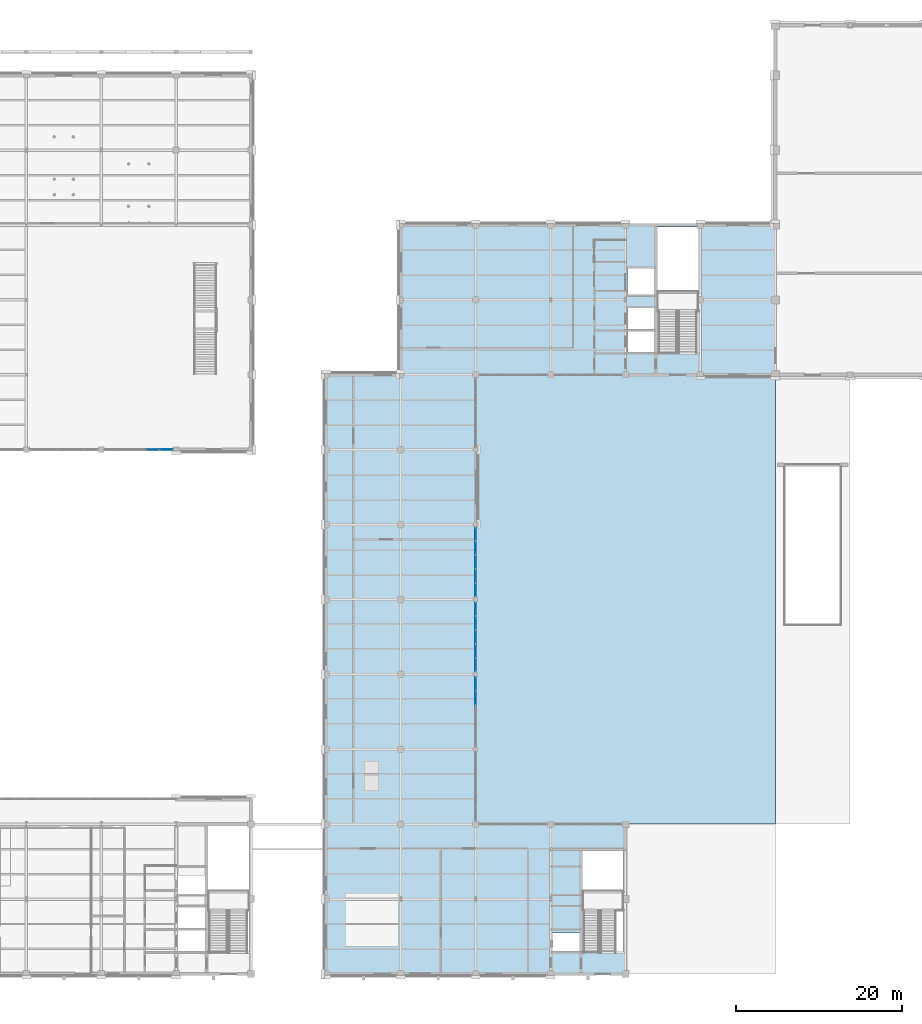
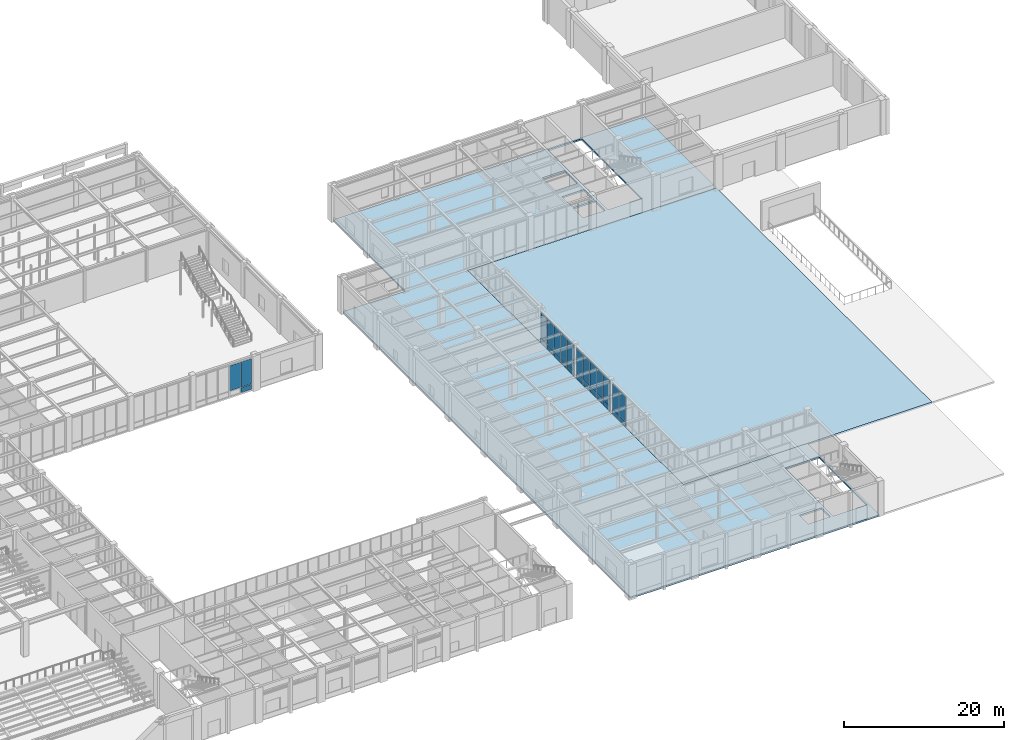
# One storey, part 55 of 77: 27 plates, 2 slabs, 4 openings, 4 elements without a shape of their own.
"""IFC4 building model written with IfcOpenShell, lengths in metres."""

import ifcopenshell
import ifcopenshell.guid

model = None  # the IFC model being written
_history = None  # IfcOwnerHistory: only IFC2X3 demands one
_inside = {}  # id of a spatial element -> (the spatial element, [elements in it])
_under = {}  # id of a project, library or spatial element -> (it, [spatial elements below it])
_declared = {}  # id of a project -> (the project, [libraries it declares])
_typed = {}  # id of a type object -> (the type object, [elements of that type])
_made_of = {}  # id of a material, layer set ... -> (it, [elements and type objects made of it])


def new_model(schema):
    """Start an empty IFC model of exactly this schema.

    Asked for "IFC4X3", IfcOpenShell would pick the latest addendum, in which some entities
    have other attributes; the version numbers below select the first issue.
    IFC2X3 requires an IfcOwnerHistory on every rooted entity: one is made here for all.
    """
    global model, _history
    if schema == "IFC4X3":
        model = ifcopenshell.file(schema_version=(4, 3, 0, 0))
    else:
        model = ifcopenshell.file(schema=schema)
    _inside.clear()
    _under.clear()
    _declared.clear()
    _typed.clear()
    _made_of.clear()
    _history = None
    if model.schema == "IFC2X3":
        org = make("IfcOrganization", Name="unknown")
        user = make(
            "IfcPersonAndOrganization",
            ThePerson=make("IfcPerson", FamilyName="unknown"),
            TheOrganization=org,
        )
        app = make(
            "IfcApplication",
            ApplicationDeveloper=org,
            Version="unknown",
            ApplicationFullName="unknown",
            ApplicationIdentifier="unknown",
        )
        _history = make(
            "IfcOwnerHistory",
            OwningUser=user,
            OwningApplication=app,
            ChangeAction="ADDED",
            CreationDate=0,
        )
    return model


def make(cls, **values):
    """One entity of the class cls with the attributes given. An attribute that is None is left unset."""
    return model.create_entity(
        cls, **{name: value for name, value in values.items() if value is not None}
    )


def rooted(cls, **values):
    """An entity with a GlobalId (a new one), such as an element, a storey or a relation."""
    return make(cls, GlobalId=ifcopenshell.guid.new(), OwnerHistory=_history, **values)


def si_unit(unit_type, name, prefix=None):
    """IfcSIUnit, for example si_unit("LENGTHUNIT", "METRE", prefix="MILLI")."""
    return make("IfcSIUnit", UnitType=unit_type, Prefix=prefix, Name=name)


def assignment(units):
    """IfcUnitAssignment: the units of a project."""
    return None if units is None else make("IfcUnitAssignment", Units=units)


def point(xyz):
    """IfcCartesianPoint."""
    return None if xyz is None else make("IfcCartesianPoint", Coordinates=xyz)


def direction(xyz):
    """IfcDirection."""
    return None if xyz is None else make("IfcDirection", DirectionRatios=xyz)


def frame(location, z_axis=None, x_axis=None):
    """IfcAxis2Placement3D, a coordinate frame: its origin and axes. An axis left out is left unset."""
    return make(
        "IfcAxis2Placement3D",
        Location=point(location),
        Axis=direction(z_axis),
        RefDirection=direction(x_axis),
    )


def frame_2d(location, x_axis=None):
    """IfcAxis2Placement2D, a coordinate frame in the plane: its origin and x axis."""
    return make(
        "IfcAxis2Placement2D", Location=point(location), RefDirection=direction(x_axis)
    )


def origin():
    """The frame at (0, 0, 0) with its axes left unset."""
    return frame((0.0, 0.0, 0.0))


def origin_2d():
    """The frame at (0, 0) in the plane with its x axis left unset."""
    return frame_2d((0.0, 0.0))


def place(relative_to, where):
    """IfcLocalPlacement: puts the frame where relative to a parent placement (None: the world)."""
    return make(
        "IfcLocalPlacement", PlacementRelTo=relative_to, RelativePlacement=where
    )


def context(
    kind, dimensions, precision=None, world=None, true_north=None, identifier=None
):
    """IfcGeometricRepresentationContext, for example the 3D "Model" context."""
    return make(
        "IfcGeometricRepresentationContext",
        ContextIdentifier=identifier,
        ContextType=kind,
        CoordinateSpaceDimension=dimensions,
        Precision=precision,
        WorldCoordinateSystem=world,
        TrueNorth=true_north,
    )


def subcontext(parent, identifier, kind, view, scale=None):
    """IfcGeometricRepresentationSubContext, for example "Body" below "Model"."""
    return make(
        "IfcGeometricRepresentationSubContext",
        ContextIdentifier=identifier,
        ContextType=kind,
        ParentContext=parent,
        TargetScale=scale,
        TargetView=view,
    )


def project(units=None, contexts=None):
    """IfcProject with its units and contexts."""
    return rooted(
        "IfcProject",
        Name="project",
        RepresentationContexts=contexts,
        UnitsInContext=assignment(units),
    )


def spatial(cls, under=None, at=None, **own):
    """A site, building, storey or space (cls), placed at a placement, below another one or the project."""
    s = rooted(cls, ObjectPlacement=at, **own)
    if under is not None:
        _under.setdefault(under.id(), (under, []))[1].append(s)
    return s


def polyline(points):
    """IfcPolyline through the points."""
    return make("IfcPolyline", Points=[point(p) for p in points])


def profile(cls, at=None, kind="AREA", **sizes):
    """A parametric profile (cls). Its sizes go by their IFC names, for example OverallWidth=200.0."""
    return make(cls, ProfileType=kind, Position=at, **sizes)


def rectangle(**sizes):
    """IfcRectangleProfileDef."""
    return profile("IfcRectangleProfileDef", **sizes)


def outline(outer, holes=None, kind="AREA"):
    """IfcArbitraryClosedProfileDef: a profile drawn as a closed curve; with holes, ...WithVoids."""
    if holes is None:
        return make("IfcArbitraryClosedProfileDef", ProfileType=kind, OuterCurve=outer)
    return make(
        "IfcArbitraryProfileDefWithVoids",
        ProfileType=kind,
        OuterCurve=outer,
        InnerCurves=holes,
    )


def extrude(swept, where, along, depth):
    """IfcExtrudedAreaSolid: the profile swept, set in the frame where, extruded along a direction by depth."""
    return make(
        "IfcExtrudedAreaSolid",
        SweptArea=swept,
        Position=where,
        ExtrudedDirection=direction(along),
        Depth=depth,
    )


def shape(context_of_items, identifier, shape_type, items):
    """IfcShapeRepresentation: the items that make up one representation, for example the "Body"."""
    return make(
        "IfcShapeRepresentation",
        ContextOfItems=context_of_items,
        RepresentationIdentifier=identifier,
        RepresentationType=shape_type,
        Items=items,
    )


def material(Name=None, Category=None):
    """IfcMaterial."""
    return make("IfcMaterial", Name=Name, Category=Category)


def layer(
    of_material, thickness, ventilated=None, Name=None, Category=None, Priority=None
):
    """IfcMaterialLayer: one layer of a wall or slab, of a material (None: an air gap)."""
    return make(
        "IfcMaterialLayer",
        Material=of_material,
        LayerThickness=thickness,
        IsVentilated=ventilated,
        Name=Name,
        Category=Category,
        Priority=Priority,
    )


def layer_set(layers, Name=None):
    """IfcMaterialLayerSet."""
    return make("IfcMaterialLayerSet", MaterialLayers=layers, LayerSetName=Name)


def made_of(thing, what):
    """Note that an element or type object is made of a material, layer set ...; save() writes the relation."""
    if what is not None:
        _made_of.setdefault(what.id(), (what, []))[1].append(thing)
    return thing


def type_object(cls, material=None, **own):
    """A type object (cls), such as IfcWallType, which elements share."""
    return made_of(rooted(cls, **own), material)


def element(
    cls,
    number,
    at=None,
    inside=None,
    cuts=None,
    type_object=None,
    material=None,
    context=None,
    identifier="Body",
    shape_type=None,
    held_by="IfcProductDefinitionShape",
    body=None,
    shapes=None,
    **own,
):
    """One element of the class cls, such as IfcWall. Its Tag is "e" and its number.

    at: its placement. inside: the storey or other place that contains it. cuts: it is an
    opening in that element (IfcRelVoidsElement). A single representation is given by context,
    identifier, shape_type and body (its items); several are given by shapes. held_by: the class
    of the entity that holds the representations. save() writes the other relations.
    """
    e = rooted(cls, Tag="e%d" % number, ObjectPlacement=at, **own)
    if body is not None:
        shapes = [shape(context, identifier, shape_type, body)]
    if shapes is not None:
        e.Representation = make(held_by, Representations=shapes)
    if inside is not None:
        _inside.setdefault(inside.id(), (inside, []))[1].append(e)
    if cuts is not None:
        rooted(
            "IfcRelVoidsElement", RelatingBuildingElement=cuts, RelatedOpeningElement=e
        )
    if type_object is not None:
        _typed.setdefault(type_object.id(), (type_object, []))[1].append(e)
    return made_of(e, material)


def aggregate(whole, parts):
    """IfcRelAggregates: a whole, such as a stair, and the parts it consists of."""
    return rooted("IfcRelAggregates", RelatingObject=whole, RelatedObjects=parts)


def save(model, path):
    """Write the relations noted so far, then the file.

    IfcRelAggregates (storeys below a building ...), IfcRelContainedInSpatialStructure (elements
    in a storey), IfcRelDefinesByType, IfcRelAssociatesMaterial and IfcRelDeclares: one each for
    every whole, place, type object, material and project.
    """
    for whole, parts in _under.values():
        aggregate(whole, parts)
    for where, things in _inside.values():
        rooted(
            "IfcRelContainedInSpatialStructure",
            RelatedElements=things,
            RelatingStructure=where,
        )
    for kind, things in _typed.values():
        rooted("IfcRelDefinesByType", RelatedObjects=things, RelatingType=kind)
    for what, things in _made_of.values():
        rooted("IfcRelAssociatesMaterial", RelatedObjects=things, RelatingMaterial=what)
    for by, libraries in _declared.values():
        rooted("IfcRelDeclares", RelatingContext=by, RelatedDefinitions=libraries)
    model.write(path)


model = new_model("IFC4")

# Units and contexts
model_context = context("Model", 3, precision=1e-05, world=origin(), true_north=direction((0.0, 1.0)))
body_context = subcontext(model_context, "Body", "Model", "MODEL_VIEW")
ifc_project = project(units=[si_unit("LENGTHUNIT", "METRE"), si_unit("AREAUNIT", "SQUARE_METRE"), si_unit("VOLUMEUNIT", "CUBIC_METRE"), si_unit("PLANEANGLEUNIT", "RADIAN"), si_unit("MASSUNIT", "GRAM", prefix="KILO")], contexts=[model_context])

# Site, building, storey
site_placement = place(None, origin())
site = spatial("IfcSite", under=ifc_project, at=site_placement, CompositionType="ELEMENT")
building_placement = place(site_placement, origin())
building = spatial("IfcBuilding", under=site, at=building_placement, Name="Lykobir Media Centre", CompositionType="ELEMENT")
storey_placement = place(building_placement, origin())
storey = spatial("IfcBuildingStorey", under=building, at=storey_placement, Name="L00", CompositionType="ELEMENT", Elevation=0.0)

# Curtain wall, plates
ifc_material_1 = material(Name="Anodized Aluminium AW-6060", Category="aluminium")
curtain_wall_type = type_object("IfcCurtainWallType", Name="CW-COURT-A", PredefinedType="NOTDEFINED", material=ifc_material_1)
curtain_wall_1_placement = place(storey_placement, origin())
curtain_wall_1 = element("IfcCurtainWall", 1, at=curtain_wall_1_placement, inside=storey, type_object=curtain_wall_type, Name="Curtain wall CW2-L00-0004", PredefinedType="NOTDEFINED")
ifc_material_2 = material(Name="Low-E Laminated Triple Glazing", Category="glass")
ifc_layer_1 = layer(ifc_material_2, 0.0380859375, Name="Low-E Laminated Triple Glazing")
ifc_layer_set_1 = layer_set([ifc_layer_1], Name="Low-E Laminated Triple Glazing")
plate_type_1 = type_object("IfcPlateType", Name="CWP-GLZ-38", PredefinedType="CURTAIN_PANEL", material=ifc_layer_set_1)
plate_1_placement = place(storey_placement, frame((108.0, 34.83984375, 0.882568359375), z_axis=(0.0, 0.0, 1.0), x_axis=(0.0, -1.0, 0.0)))
plate_1 = element("IfcPlate", 2, at=plate_1_placement, type_object=plate_type_1, Name="CW2-L00-0004 panel 1.2", PredefinedType="CURTAIN_PANEL", context=body_context, shape_type="SweptSolid", body=[
    extrude(rectangle(XDim=1.58056640625, YDim=0.0380859375, at=origin_2d()), origin(), (0.0, 0.0, 1.0), 3.827392578125),
])
plate_2_placement = place(storey_placement, frame((108.0, 33.177978515625, 0.882568359375), z_axis=(0.0, 0.0, 1.0), x_axis=(0.0, -1.0, 0.0)))
plate_2 = element("IfcPlate", 3, at=plate_2_placement, type_object=plate_type_1, Name="CW2-L00-0004 panel 2.2", PredefinedType="CURTAIN_PANEL", context=body_context, shape_type="SweptSolid", body=[
    extrude(rectangle(XDim=1.613037109375, YDim=0.0380859375, at=origin_2d()), origin(), (0.0, 0.0, 1.0), 3.827392578125),
])

curtain_wall_2_placement = place(storey_placement, origin())
curtain_wall_2 = element("IfcCurtainWall", 4, at=curtain_wall_2_placement, inside=storey, type_object=curtain_wall_type, Name="Curtain wall CW2-L00-0005", PredefinedType="NOTDEFINED")
plate_3_placement = place(storey_placement, frame((108.0, 43.83984375, 0.882568359375), z_axis=(0.0, 0.0, 1.0), x_axis=(0.0, -1.0, 0.0)))
plate_3 = element("IfcPlate", 5, at=plate_3_placement, type_object=plate_type_1, Name="CW2-L00-0005 panel 1.2", PredefinedType="CURTAIN_PANEL", context=body_context, shape_type="SweptSolid", body=[
    extrude(rectangle(XDim=1.58056640625, YDim=0.0380859375, at=origin_2d()), origin(), (0.0, 0.0, 1.0), 3.827392578125),
])
plate_4_placement = place(storey_placement, frame((108.0, 42.177978515625, 0.882568359375), z_axis=(0.0, 0.0, 1.0), x_axis=(0.0, -1.0, 0.0)))
plate_4 = element("IfcPlate", 6, at=plate_4_placement, type_object=plate_type_1, Name="CW2-L00-0005 panel 2.2", PredefinedType="CURTAIN_PANEL", context=body_context, shape_type="SweptSolid", body=[
    extrude(rectangle(XDim=1.613037109375, YDim=0.0380859375, at=origin_2d()), origin(), (0.0, 0.0, 1.0), 3.827392578125),
])
plate_5_placement = place(storey_placement, frame((108.0, 40.5, 0.882568359375), z_axis=(0.0, 0.0, 1.0), x_axis=(0.0, -1.0, 0.0)))
plate_5 = element("IfcPlate", 7, at=plate_5_placement, type_object=plate_type_1, Name="CW2-L00-0005 panel 3.2", PredefinedType="CURTAIN_PANEL", context=body_context, shape_type="SweptSolid", body=[
    extrude(rectangle(XDim=1.613037109375, YDim=0.0380859375, at=origin_2d()), origin(), (0.0, 0.0, 1.0), 3.827392578125),
])
plate_6_placement = place(storey_placement, frame((108.0, 38.822021484375, 0.882568359375), z_axis=(0.0, 0.0, 1.0), x_axis=(0.0, -1.0, 0.0)))
plate_6 = element("IfcPlate", 8, at=plate_6_placement, type_object=plate_type_1, Name="CW2-L00-0005 panel 4.2", PredefinedType="CURTAIN_PANEL", context=body_context, shape_type="SweptSolid", body=[
    extrude(rectangle(XDim=1.613037109375, YDim=0.0380859375, at=origin_2d()), origin(), (0.0, 0.0, 1.0), 3.827392578125),
])
plate_7_placement = place(storey_placement, frame((108.0, 37.16015625, 0.882568359375), z_axis=(0.0, 0.0, 1.0), x_axis=(0.0, -1.0, 0.0)))
plate_7 = element("IfcPlate", 9, at=plate_7_placement, type_object=plate_type_1, Name="CW2-L00-0005 panel 5.2", PredefinedType="CURTAIN_PANEL", context=body_context, shape_type="SweptSolid", body=[
    extrude(rectangle(XDim=1.58056640625, YDim=0.0380859375, at=origin_2d()), origin(), (0.0, 0.0, 1.0), 3.827392578125),
])

curtain_wall_3_placement = place(storey_placement, origin())
curtain_wall_3 = element("IfcCurtainWall", 10, at=curtain_wall_3_placement, inside=storey, type_object=curtain_wall_type, Name="Curtain wall CW2-L00-0006", PredefinedType="NOTDEFINED")
plate_8_placement = place(storey_placement, frame((108.0, 52.83984375, 0.882568359375), z_axis=(0.0, 0.0, 1.0), x_axis=(0.0, -1.0, 0.0)))
plate_8 = element("IfcPlate", 11, at=plate_8_placement, type_object=plate_type_1, Name="CW2-L00-0006 panel 1.2", PredefinedType="CURTAIN_PANEL", context=body_context, shape_type="SweptSolid", body=[
    extrude(rectangle(XDim=1.58056640625, YDim=0.0380859375, at=origin_2d()), origin(), (0.0, 0.0, 1.0), 3.827392578125),
])
plate_9_placement = place(storey_placement, frame((108.0, 51.177978515625, 0.882568359375), z_axis=(0.0, 0.0, 1.0), x_axis=(0.0, -1.0, 0.0)))
plate_9 = element("IfcPlate", 12, at=plate_9_placement, type_object=plate_type_1, Name="CW2-L00-0006 panel 2.2", PredefinedType="CURTAIN_PANEL", context=body_context, shape_type="SweptSolid", body=[
    extrude(rectangle(XDim=1.613037109375, YDim=0.0380859375, at=origin_2d()), origin(), (0.0, 0.0, 1.0), 3.827392578125),
])
plate_10_placement = place(storey_placement, frame((108.0, 49.5, 0.882568359375), z_axis=(0.0, 0.0, 1.0), x_axis=(0.0, -1.0, 0.0)))
plate_10 = element("IfcPlate", 13, at=plate_10_placement, type_object=plate_type_1, Name="CW2-L00-0006 panel 3.2", PredefinedType="CURTAIN_PANEL", context=body_context, shape_type="SweptSolid", body=[
    extrude(rectangle(XDim=1.613037109375, YDim=0.0380859375, at=origin_2d()), origin(), (0.0, 0.0, 1.0), 3.827392578125),
])
plate_11_placement = place(storey_placement, frame((108.0, 47.822021484375, 0.882568359375), z_axis=(0.0, 0.0, 1.0), x_axis=(0.0, -1.0, 0.0)))
plate_11 = element("IfcPlate", 14, at=plate_11_placement, type_object=plate_type_1, Name="CW2-L00-0006 panel 4.2", PredefinedType="CURTAIN_PANEL", context=body_context, shape_type="SweptSolid", body=[
    extrude(rectangle(XDim=1.613037109375, YDim=0.0380859375, at=origin_2d()), origin(), (0.0, 0.0, 1.0), 3.827392578125),
])
plate_12_placement = place(storey_placement, frame((108.0, 46.16015625, 0.882568359375), z_axis=(0.0, 0.0, 1.0), x_axis=(0.0, -1.0, 0.0)))
plate_12 = element("IfcPlate", 15, at=plate_12_placement, type_object=plate_type_1, Name="CW2-L00-0006 panel 5.2", PredefinedType="CURTAIN_PANEL", context=body_context, shape_type="SweptSolid", body=[
    extrude(rectangle(XDim=1.58056640625, YDim=0.0380859375, at=origin_2d()), origin(), (0.0, 0.0, 1.0), 3.827392578125),
])

curtain_wall_4_placement = place(storey_placement, origin())
curtain_wall_4 = element("IfcCurtainWall", 16, at=curtain_wall_4_placement, inside=storey, type_object=curtain_wall_type, Name="Curtain wall CW2-L00-0022", PredefinedType="NOTDEFINED")
plate_13_placement = place(storey_placement, frame((70.7998046875, 63.0, 0.882568359375), z_axis=(0.0, 0.0, 1.0), x_axis=(-1.0, 0.0, 0.0)))
plate_13 = element("IfcPlate", 17, at=plate_13_placement, type_object=plate_type_1, Name="CW2-L00-0022 panel 1.2", PredefinedType="CURTAIN_PANEL", context=body_context, shape_type="SweptSolid", body=[
    extrude(rectangle(XDim=1.560546875, YDim=0.0380859375, at=origin_2d()), origin(), (0.0, 0.0, 1.0), 3.847412109375),
])
plate_14_placement = place(storey_placement, frame((69.157958984375, 63.0, 0.882568359375), z_axis=(0.0, 0.0, 1.0), x_axis=(-1.0, 0.0, 0.0)))
plate_14 = element("IfcPlate", 18, at=plate_14_placement, type_object=plate_type_1, Name="CW2-L00-0022 panel 2.2", PredefinedType="CURTAIN_PANEL", context=body_context, shape_type="SweptSolid", body=[
    extrude(rectangle(XDim=1.593017578125, YDim=0.0380859375, at=origin_2d()), origin(), (0.0, 0.0, 1.0), 3.847412109375),
])

# Plate
ifc_material_3 = material(Name="Glazed Turquoise Terracotta", Category="masonry")
ifc_layer_2 = layer(ifc_material_3, 0.06005859375, Name="Glazed Turquoise Terracotta")
ifc_layer_set_2 = layer_set([ifc_layer_2], Name="Glazed Turquoise Terracotta")
plate_type_2 = type_object("IfcPlateType", Name="CWP-SPN-60", PredefinedType="CURTAIN_PANEL", material=ifc_layer_set_2)
plate_15_placement = place(storey_placement, frame((108.0, 34.83984375, 0.06494140625), z_axis=(0.0, 0.0, 1.0), x_axis=(0.0, -1.0, 0.0)))
plate_15 = element("IfcPlate", 19, at=plate_15_placement, type_object=plate_type_2, Name="CW2-L00-0004 panel 1.1", PredefinedType="CURTAIN_PANEL", context=body_context, shape_type="SweptSolid", body=[
    extrude(rectangle(XDim=1.58056640625, YDim=0.06005859375, at=origin_2d()), origin(), (0.0, 0.0, 1.0), 0.75244140625),
])

plate_16_placement = place(storey_placement, frame((108.0, 33.177978515625, 0.06494140625), z_axis=(0.0, 0.0, 1.0), x_axis=(0.0, -1.0, 0.0)))
plate_16 = element("IfcPlate", 20, at=plate_16_placement, type_object=plate_type_2, Name="CW2-L00-0004 panel 2.1", PredefinedType="CURTAIN_PANEL", context=body_context, shape_type="SweptSolid", body=[
    extrude(rectangle(XDim=1.613037109375, YDim=0.06005859375, at=origin_2d()), origin(), (0.0, 0.0, 1.0), 0.75244140625),
])

aggregate(curtain_wall_1, [plate_15, plate_1, plate_16, plate_2])

plate_17_placement = place(storey_placement, frame((108.0, 43.83984375, 0.06494140625), z_axis=(0.0, 0.0, 1.0), x_axis=(0.0, -1.0, 0.0)))
plate_17 = element("IfcPlate", 21, at=plate_17_placement, type_object=plate_type_2, Name="CW2-L00-0005 panel 1.1", PredefinedType="CURTAIN_PANEL", context=body_context, shape_type="SweptSolid", body=[
    extrude(rectangle(XDim=1.58056640625, YDim=0.06005859375, at=origin_2d()), origin(), (0.0, 0.0, 1.0), 0.75244140625),
])

plate_18_placement = place(storey_placement, frame((108.0, 42.177978515625, 0.06494140625), z_axis=(0.0, 0.0, 1.0), x_axis=(0.0, -1.0, 0.0)))
plate_18 = element("IfcPlate", 22, at=plate_18_placement, type_object=plate_type_2, Name="CW2-L00-0005 panel 2.1", PredefinedType="CURTAIN_PANEL", context=body_context, shape_type="SweptSolid", body=[
    extrude(rectangle(XDim=1.613037109375, YDim=0.06005859375, at=origin_2d()), origin(), (0.0, 0.0, 1.0), 0.75244140625),
])

plate_19_placement = place(storey_placement, frame((108.0, 40.5, 0.06494140625), z_axis=(0.0, 0.0, 1.0), x_axis=(0.0, -1.0, 0.0)))
plate_19 = element("IfcPlate", 23, at=plate_19_placement, type_object=plate_type_2, Name="CW2-L00-0005 panel 3.1", PredefinedType="CURTAIN_PANEL", context=body_context, shape_type="SweptSolid", body=[
    extrude(rectangle(XDim=1.613037109375, YDim=0.06005859375, at=origin_2d()), origin(), (0.0, 0.0, 1.0), 0.75244140625),
])

plate_20_placement = place(storey_placement, frame((108.0, 38.822021484375, 0.06494140625), z_axis=(0.0, 0.0, 1.0), x_axis=(0.0, -1.0, 0.0)))
plate_20 = element("IfcPlate", 24, at=plate_20_placement, type_object=plate_type_2, Name="CW2-L00-0005 panel 4.1", PredefinedType="CURTAIN_PANEL", context=body_context, shape_type="SweptSolid", body=[
    extrude(rectangle(XDim=1.613037109375, YDim=0.06005859375, at=origin_2d()), origin(), (0.0, 0.0, 1.0), 0.75244140625),
])

plate_21_placement = place(storey_placement, frame((108.0, 37.16015625, 0.06494140625), z_axis=(0.0, 0.0, 1.0), x_axis=(0.0, -1.0, 0.0)))
plate_21 = element("IfcPlate", 25, at=plate_21_placement, type_object=plate_type_2, Name="CW2-L00-0005 panel 5.1", PredefinedType="CURTAIN_PANEL", context=body_context, shape_type="SweptSolid", body=[
    extrude(rectangle(XDim=1.58056640625, YDim=0.06005859375, at=origin_2d()), origin(), (0.0, 0.0, 1.0), 0.75244140625),
])

aggregate(curtain_wall_2, [plate_17, plate_3, plate_18, plate_4, plate_19, plate_5, plate_20, plate_6, plate_21, plate_7])

plate_22_placement = place(storey_placement, frame((108.0, 52.83984375, 0.06494140625), z_axis=(0.0, 0.0, 1.0), x_axis=(0.0, -1.0, 0.0)))
plate_22 = element("IfcPlate", 26, at=plate_22_placement, type_object=plate_type_2, Name="CW2-L00-0006 panel 1.1", PredefinedType="CURTAIN_PANEL", context=body_context, shape_type="SweptSolid", body=[
    extrude(rectangle(XDim=1.58056640625, YDim=0.06005859375, at=origin_2d()), origin(), (0.0, 0.0, 1.0), 0.75244140625),
])

plate_23_placement = place(storey_placement, frame((108.0, 51.177978515625, 0.06494140625), z_axis=(0.0, 0.0, 1.0), x_axis=(0.0, -1.0, 0.0)))
plate_23 = element("IfcPlate", 27, at=plate_23_placement, type_object=plate_type_2, Name="CW2-L00-0006 panel 2.1", PredefinedType="CURTAIN_PANEL", context=body_context, shape_type="SweptSolid", body=[
    extrude(rectangle(XDim=1.613037109375, YDim=0.06005859375, at=origin_2d()), origin(), (0.0, 0.0, 1.0), 0.75244140625),
])

plate_24_placement = place(storey_placement, frame((108.0, 49.5, 0.06494140625), z_axis=(0.0, 0.0, 1.0), x_axis=(0.0, -1.0, 0.0)))
plate_24 = element("IfcPlate", 28, at=plate_24_placement, type_object=plate_type_2, Name="CW2-L00-0006 panel 3.1", PredefinedType="CURTAIN_PANEL", context=body_context, shape_type="SweptSolid", body=[
    extrude(rectangle(XDim=1.613037109375, YDim=0.06005859375, at=origin_2d()), origin(), (0.0, 0.0, 1.0), 0.75244140625),
])

plate_25_placement = place(storey_placement, frame((108.0, 47.822021484375, 0.06494140625), z_axis=(0.0, 0.0, 1.0), x_axis=(0.0, -1.0, 0.0)))
plate_25 = element("IfcPlate", 29, at=plate_25_placement, type_object=plate_type_2, Name="CW2-L00-0006 panel 4.1", PredefinedType="CURTAIN_PANEL", context=body_context, shape_type="SweptSolid", body=[
    extrude(rectangle(XDim=1.613037109375, YDim=0.06005859375, at=origin_2d()), origin(), (0.0, 0.0, 1.0), 0.75244140625),
])

plate_26_placement = place(storey_placement, frame((108.0, 46.16015625, 0.06494140625), z_axis=(0.0, 0.0, 1.0), x_axis=(0.0, -1.0, 0.0)))
plate_26 = element("IfcPlate", 30, at=plate_26_placement, type_object=plate_type_2, Name="CW2-L00-0006 panel 5.1", PredefinedType="CURTAIN_PANEL", context=body_context, shape_type="SweptSolid", body=[
    extrude(rectangle(XDim=1.58056640625, YDim=0.06005859375, at=origin_2d()), origin(), (0.0, 0.0, 1.0), 0.75244140625),
])

aggregate(curtain_wall_3, [plate_22, plate_8, plate_23, plate_9, plate_24, plate_10, plate_25, plate_11, plate_26, plate_12])

plate_27_placement = place(storey_placement, frame((70.7998046875, 63.0, 0.06494140625), z_axis=(0.0, 0.0, 1.0), x_axis=(-1.0, 0.0, 0.0)))
plate_27 = element("IfcPlate", 31, at=plate_27_placement, type_object=plate_type_2, Name="CW2-L00-0022 panel 1.1", PredefinedType="CURTAIN_PANEL", context=body_context, shape_type="SweptSolid", body=[
    extrude(rectangle(XDim=1.560546875, YDim=0.06005859375, at=origin_2d()), origin(), (0.0, 0.0, 1.0), 0.75244140625),
])

aggregate(curtain_wall_4, [plate_27, plate_13, plate_14])

# Slab, openings
ifc_material_4 = material(Name="Concrete C30/37", Category="concrete")
ifc_layer_3 = layer(ifc_material_4, 0.25, Name="Concrete C30/37")
ifc_layer_set_3 = layer_set([ifc_layer_3], Name="Concrete C30/37")
slab_type_1 = type_object("IfcSlabType", Name="FS-250", PredefinedType="FLOOR", material=ifc_layer_set_3)
slab_1_placement = place(storey_placement, frame((0.0, 0.0, -0.25)))
slab_1 = element("IfcSlab", 32, at=slab_1_placement, inside=storey, type_object=slab_type_1, Name="L00 structural slab 2", PredefinedType="FLOOR", context=body_context, shape_type="SweptSolid", body=[
    extrude(outline(polyline([(126.0, 18.0), (108.0, 18.0), (108.0, 72.0), (144.0, 72.0), (144.0, 90.0), (99.0, 90.0), (99.0, 72.0), (90.0, 72.0), (90.0, 18.0), (90.0, 0.0), (126.0, 0.0), (126.0, 18.0)]), holes=[polyline([(125.75, 14.75), (125.75, 2.64990234375), (120.85009765625, 2.64990234375), (120.85009765625, 14.75), (125.75, 14.75)]), polyline([(134.75, 74.64990234375), (129.85009765625, 74.64990234375), (129.85009765625, 89.75), (134.75, 89.75), (134.75, 74.64990234375)])]), origin(), (0.0, 0.0, 1.0), 0.25),
])
opening_1_placement = place(slab_1_placement, frame((127.85009765625, 75.949951171875, 0.0)))
element("IfcOpeningElement", 33, at=opening_1_placement, cuts=slab_1, Name="Shaft opening C4-pass_shaft-L00", PredefinedType="OPENING", context=body_context, shape_type="SweptSolid", body=[
    extrude(rectangle(XDim=3.199951171875, YDim=2.5, at=origin_2d()), origin(), (0.0, 0.0, 1.0), 0.25),
])
opening_2_placement = place(slab_1_placement, frame((127.85009765625, 78.75, 0.0)))
element("IfcOpeningElement", 34, at=opening_2_placement, cuts=slab_1, Name="Shaft opening C4-ff_shaft-L00", PredefinedType="OPENING", context=body_context, shape_type="SweptSolid", body=[
    extrude(rectangle(XDim=3.199951171875, YDim=2.5, at=origin_2d()), origin(), (0.0, 0.0, 1.0), 0.25),
])
opening_3_placement = place(slab_1_placement, frame((127.85009765625, 83.199951171875, 0.0)))
element("IfcOpeningElement", 35, at=opening_3_placement, cuts=slab_1, Name="Shaft opening C4-goods_shaft-L00", PredefinedType="OPENING", context=body_context, shape_type="SweptSolid", body=[
    extrude(rectangle(XDim=3.199951171875, YDim=3.199951171875, at=origin_2d()), origin(), (0.0, 0.0, 1.0), 0.25),
])
opening_4_placement = place(slab_1_placement, frame((118.85009765625, 3.800048828125, 0.0)))
element("IfcOpeningElement", 36, at=opening_4_placement, cuts=slab_1, Name="Shaft opening C5-riser_shaft-L00", PredefinedType="OPENING", context=body_context, shape_type="SweptSolid", body=[
    extrude(rectangle(XDim=3.199951171875, YDim=2.199951171875, at=origin_2d()), origin(), (0.0, 0.0, 1.0), 0.25),
])

# Slab
ifc_material_5 = material(Name="Concrete C35/45", Category="concrete")
ifc_layer_4 = layer(ifc_material_5, 0.25, Name="Concrete C35/45")
ifc_layer_set_4 = layer_set([ifc_layer_4], Name="Concrete C35/45")
slab_type_2 = type_object("IfcSlabType", Name="TS-250", PredefinedType="FLOOR", material=ifc_layer_set_4)
slab_2_placement = place(storey_placement, frame((0.0, 0.0, -0.25)))
element("IfcSlab", 37, at=slab_2_placement, inside=storey, type_object=slab_type_2, Name="L00 East Cloister Courtyard Deck", PredefinedType="FLOOR", context=body_context, shape_type="SweptSolid", body=[
    extrude(outline(polyline([(144.0, 18.0), (144.0, 72.0), (108.0, 72.0), (108.0, 18.0), (144.0, 18.0)])), origin(), (0.0, 0.0, 1.0), 0.25),
])

save(model, "model.ifc")
